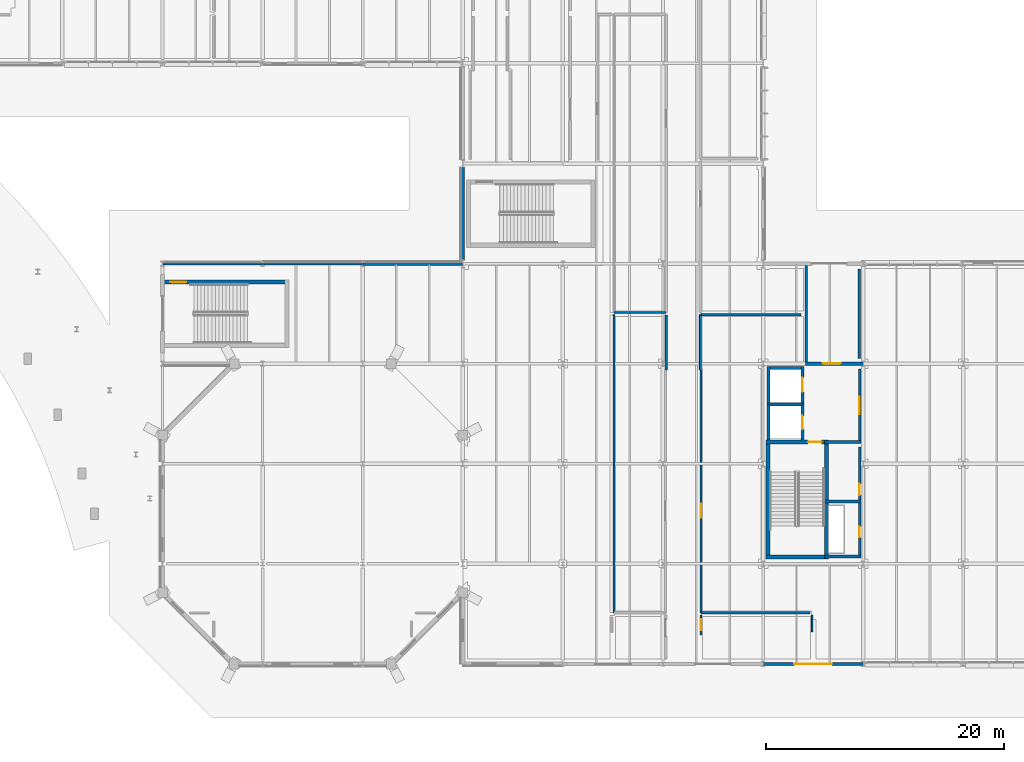
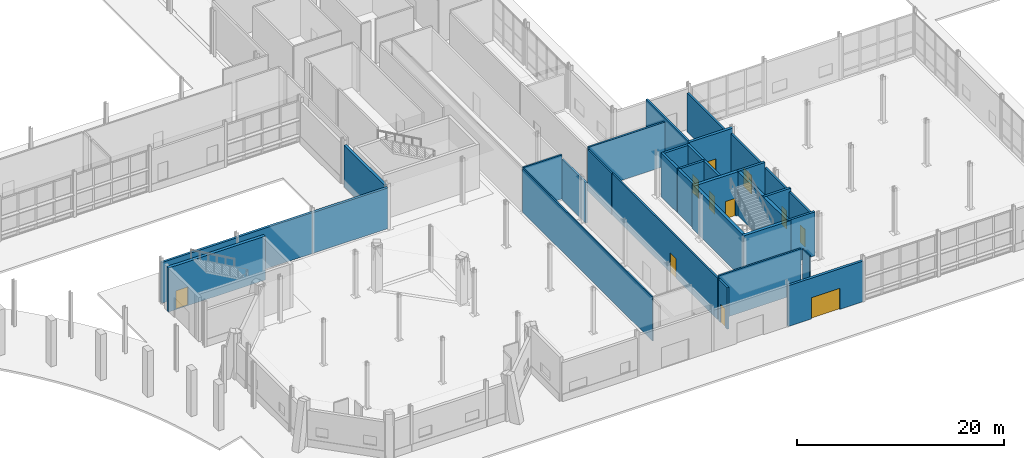
# One storey, part 85 of 124: 34 walls, 11 doors, 11 openings.
"""IFC4 building model written with IfcOpenShell, lengths in metres."""

from ifc_helpers import new_model, si_unit, direction, frame, frame_2d, origin, place, context, subcontext, project, spatial, rectangle, extrude, material, layer, layer_set, type_object, element, fill, save


model = new_model("IFC4")

# Units and contexts
model_context = context("Model", 3, precision=1e-05, world=origin(), true_north=direction((0.0, 1.0)))
body_context = subcontext(model_context, "Body", "Model", "MODEL_VIEW")
ifc_project = project(units=[si_unit("LENGTHUNIT", "METRE"), si_unit("AREAUNIT", "SQUARE_METRE"), si_unit("VOLUMEUNIT", "CUBIC_METRE"), si_unit("PLANEANGLEUNIT", "RADIAN"), si_unit("MASSUNIT", "GRAM", prefix="KILO")], contexts=[model_context])

# Site, building, storey
site_placement = place(None, origin())
site = spatial("IfcSite", under=ifc_project, at=site_placement, CompositionType="ELEMENT")
building_placement = place(site_placement, origin())
building = spatial("IfcBuilding", under=site, at=building_placement, Name="Mersafa Astral City Hall", CompositionType="ELEMENT")
storey_placement = place(building_placement, origin())
storey = spatial("IfcBuildingStorey", under=building, at=storey_placement, Name="L00", CompositionType="ELEMENT", Elevation=0.0)

# Walls
ifc_material_1 = material(Name="Precast concrete C40/50 insulated terracotta spandrel", Category="masonry")
ifc_layer_1 = layer(ifc_material_1, 0.25, Name="Precast concrete C40/50 insulated terracotta spandrel")
ifc_layer_set_1 = layer_set([ifc_layer_1], Name="Precast concrete C40/50 insulated terracotta spandrel — ENV-WAL-EXT-250")
wall_type_1 = type_object("IfcWallType", Name="ENV-WAL-EXT-250", PredefinedType="STANDARD", material=ifc_layer_set_1)
wall_1_placement = place(storey_placement, frame((75.592041015625, 33.60009765625, 0.0), z_axis=(0.0, 0.0, 1.0), x_axis=(-1.0, 0.0, 0.0)))
element("IfcWall", 1, at=wall_1_placement, inside=storey, type_object=wall_type_1, Name="L00 Limestone-clad exterior wall 70", PredefinedType="STANDARD", context=body_context, shape_type="SweptSolid", body=[
    extrude(rectangle(XDim=8.384033203125, YDim=0.25, at=frame_2d((4.19189453125, 0.0))), origin(), (0.0, 0.0, 1.0), 4.797119140625),
])
ifc_material_2 = material(Name="Precast concrete C40/50 insulated limestone wall", Category="masonry")
ifc_layer_2 = layer(ifc_material_2, 0.264892578125, Name="Precast concrete C40/50 insulated limestone wall")
ifc_layer_set_2 = layer_set([ifc_layer_2], Name="Precast concrete C40/50 insulated limestone wall — ENV-WAL-EXT-265")
wall_type_2 = type_object("IfcWallType", Name="ENV-WAL-EXT-265", PredefinedType="STANDARD", material=ifc_layer_set_2)
wall_2_placement = place(storey_placement, frame((83.991943359375, 33.60009765625, 0.0), z_axis=(0.0, 0.0, 1.0), x_axis=(-1.0, 0.0, 0.0)))
element("IfcWall", 2, at=wall_2_placement, inside=storey, type_object=wall_type_2, Name="L00 Limestone-clad exterior wall 69", PredefinedType="STANDARD", context=body_context, shape_type="SweptSolid", body=[
    extrude(rectangle(XDim=8.384033203125, YDim=0.264892578125, at=frame_2d((4.19189453125, 0.0))), origin(), (0.0, 0.0, 1.0), 4.826904296875),
])

# Wall, opening, door
ifc_layer_3 = layer(ifc_material_2, 0.280029296875, Name="Precast concrete C40/50 insulated limestone wall")
ifc_layer_set_3 = layer_set([ifc_layer_3], Name="Precast concrete C40/50 insulated limestone wall — ENV-WAL-EXT-280")
wall_type_3 = type_object("IfcWallType", Name="ENV-WAL-EXT-280", PredefinedType="STANDARD", material=ifc_layer_set_3)
wall_3_placement = place(storey_placement, frame((125.991943359375, 0.0, 0.0), z_axis=(0.0, 0.0, 1.0), x_axis=(-1.0, 0.0, 0.0)))
wall_3 = element("IfcWall", 3, at=wall_3_placement, inside=storey, type_object=wall_type_3, Name="L00 Civic Entrance & Exit Portal Wall E9", PredefinedType="STANDARD", context=body_context, shape_type="SweptSolid", body=[
    extrude(rectangle(XDim=8.384033203125, YDim=0.280029296875, at=frame_2d((4.19189453125, 0.0))), origin(), (0.0, 0.0, 1.0), 4.797119140625),
])
opening_1_placement = place(wall_3_placement, frame((2.616943359375, 0.0, 0.0)))
opening_1 = element("IfcOpeningElement", 4, at=opening_1_placement, cuts=wall_3, Name="Opening ED-1", PredefinedType="OPENING", context=body_context, shape_type="SweptSolid", body=[
    extrude(rectangle(XDim=3.14990234375, YDim=2.5, at=frame_2d((1.574951171875, 1.25))), frame((0.0, 0.14990234375, 0.0), z_axis=(0.0, -1.0, 0.0), x_axis=(1.0, 0.0, 0.0)), (0.0, 0.0, 1.0), 0.300048828125),
])
ifc_material_3 = material(Name="Anodised bronze glazed exit door pair", Category="metal")
door_type_1 = type_object("IfcDoorType", Name="ENV-DR-EXIT-2850", OperationType="NOTDEFINED", PredefinedType="DOOR", material=ifc_material_3)
door_1_placement = place(opening_1_placement, origin())
door_1 = element("IfcDoor", 5, at=door_1_placement, inside=storey, type_object=door_type_1, Name="Ground Final Exit Door E9", OperationType="DOUBLE_DOOR_SINGLE_SWING", OverallHeight=2.5, OverallWidth=3.14990234375, PredefinedType="DOOR", context=body_context, shape_type="SweptSolid", body=[
    extrude(rectangle(XDim=3.14990234375, YDim=2.5, at=frame_2d((1.574951171875, 1.25))), frame((0.0, 0.02490234375, 0.0), z_axis=(0.0, -1.0, 0.0), x_axis=(1.0, 0.0, 0.0)), (0.0, 0.0, 1.0), 0.050048828125),
])
fill(opening_1, door_1)

# Walls
wall_4_placement = place(storey_placement, frame((92.39208984375, 33.60009765625, 0.0), z_axis=(0.0, 0.0, 1.0), x_axis=(-1.0, 0.0, 0.0)))
element("IfcWall", 6, at=wall_4_placement, inside=storey, type_object=wall_type_3, Name="L00 Limestone-clad exterior wall 68", PredefinedType="STANDARD", context=body_context, shape_type="SweptSolid", body=[
    extrude(rectangle(XDim=8.384033203125, YDim=0.280029296875, at=frame_2d((4.19189453125, 0.0))), origin(), (0.0, 0.0, 1.0), 4.797119140625),
])
ifc_layer_4 = layer(ifc_material_2, 0.294921875, Name="Precast concrete C40/50 insulated limestone wall")
ifc_layer_set_4 = layer_set([ifc_layer_4], Name="Precast concrete C40/50 insulated limestone wall — ENV-WAL-EXT-295")
wall_type_4 = type_object("IfcWallType", Name="ENV-WAL-EXT-295", PredefinedType="STANDARD", material=ifc_layer_set_4)
wall_5_placement = place(storey_placement, frame((92.39990234375, 41.678955078125, 0.0), z_axis=(0.0, 0.0, 1.0), x_axis=(0.0, -1.0, 0.0)))
element("IfcWall", 7, at=wall_5_placement, inside=storey, type_object=wall_type_4, Name="L00 Limestone-clad exterior wall 67", PredefinedType="STANDARD", context=body_context, shape_type="SweptSolid", body=[
    extrude(rectangle(XDim=7.758056640625, YDim=0.294921875, at=frame_2d((3.87890625, 0.0))), origin(), (0.0, 0.0, 1.0), 4.886962890625),
])
ifc_material_4 = material(Name="Concrete C40/50", Category="concrete")
ifc_layer_5 = layer(ifc_material_4, 0.260009765625, Name="Concrete C40/50")
ifc_layer_set_5 = layer_set([ifc_layer_5], Name="Concrete C40/50 — INT-WAL-CORE-260")
wall_type_5 = type_object("IfcWallType", Name="INT-WAL-CORE-260", PredefinedType="SHEAR", material=ifc_layer_set_5)
wall_6_placement = place(storey_placement, frame((117.9150390625, 21.784912109375, 0.0), z_axis=(0.0, 0.0, 1.0), x_axis=(1.0, 0.0, 0.0)))
element("IfcWall", 8, at=wall_6_placement, inside=storey, type_object=wall_type_5, Name="L00 Lift LF7 north shaft wall", PredefinedType="SHEAR", context=body_context, shape_type="SweptSolid", body=[
    extrude(rectangle(XDim=3.1298828125, YDim=0.260009765625, at=frame_2d((1.56494140625, 0.0))), origin(), (0.0, 0.0, 1.0), 5.175048828125),
])
wall_7_placement = place(storey_placement, frame((118.044921875, 18.797119140625, 0.0), z_axis=(0.0, 0.0, 1.0), x_axis=(0.0, 1.0, 0.0)))
element("IfcWall", 9, at=wall_7_placement, inside=storey, type_object=wall_type_5, Name="L00 Lift LF7 back shaft wall", PredefinedType="SHEAR", context=body_context, shape_type="SweptSolid", body=[
    extrude(rectangle(XDim=2.947998046875, YDim=0.260009765625, at=frame_2d((1.47412109375, 0.0))), origin(), (0.0, 0.0, 1.0), 5.175048828125),
])

# Wall, opening, door
wall_8_placement = place(storey_placement, frame((120.9150390625, 18.797119140625, 0.0), z_axis=(0.0, 0.0, 1.0), x_axis=(0.0, 1.0, 0.0)))
wall_8 = element("IfcWall", 10, at=wall_8_placement, inside=storey, type_object=wall_type_5, Name="L00 Lift LF7 front shaft wall", PredefinedType="SHEAR", context=body_context, shape_type="SweptSolid", body=[
    extrude(rectangle(XDim=2.947998046875, YDim=0.260009765625, at=frame_2d((1.47412109375, 0.0))), origin(), (0.0, 0.0, 1.0), 5.175048828125),
])
opening_2_placement = place(wall_8_placement, frame((0.924072265625, 0.0, 0.0)))
opening_2 = element("IfcOpeningElement", 11, at=opening_2_placement, cuts=wall_8, Name="Opening LD-1", PredefinedType="OPENING", context=body_context, shape_type="SweptSolid", body=[
    extrude(rectangle(XDim=1.10009765625, YDim=2.14990234375, at=frame_2d((0.550048828125, 1.074951171875))), frame((0.0, 0.139892578125, 0.0), z_axis=(0.0, -1.0, 0.0), x_axis=(1.0, 0.0, 0.0)), (0.0, 0.0, 1.0), 0.280029296875),
])
ifc_material_5 = material(Name="Stainless steel sliding lift landing door", Category="steel")
door_type_2 = type_object("IfcDoorType", Name="INT-DR-LIFT-LD1", OperationType="NOTDEFINED", PredefinedType="DOOR", material=ifc_material_5)
door_2_placement = place(opening_2_placement, origin())
door_2 = element("IfcDoor", 12, at=door_2_placement, inside=storey, type_object=door_type_2, Name="Elevator LF7 Sliding Landing Door L00", OperationType="DOUBLE_DOOR_SLIDING", OverallHeight=2.14990234375, OverallWidth=1.10009765625, PredefinedType="DOOR", context=body_context, shape_type="SweptSolid", body=[
    extrude(rectangle(XDim=1.10009765625, YDim=2.14990234375, at=frame_2d((0.550048828125, 1.074951171875))), frame((0.0, 0.02490234375, 0.0), z_axis=(0.0, -1.0, 0.0), x_axis=(1.0, 0.0, 0.0)), (0.0, 0.0, 1.0), 0.050048828125),
])
fill(opening_2, door_2)

# Walls
wall_9_placement = place(storey_placement, frame((117.9150390625, 24.8349609375, 0.0), z_axis=(0.0, 0.0, 1.0), x_axis=(1.0, 0.0, 0.0)))
element("IfcWall", 13, at=wall_9_placement, inside=storey, type_object=wall_type_5, Name="L00 Lift LF10 north shaft wall", PredefinedType="SHEAR", context=body_context, shape_type="SweptSolid", body=[
    extrude(rectangle(XDim=3.1298828125, YDim=0.260009765625, at=frame_2d((1.56494140625, 0.0))), origin(), (0.0, 0.0, 1.0), 5.175048828125),
])
wall_10_placement = place(storey_placement, frame((118.044921875, 21.905029296875, 0.0), z_axis=(0.0, 0.0, 1.0), x_axis=(0.0, 1.0, 0.0)))
element("IfcWall", 14, at=wall_10_placement, inside=storey, type_object=wall_type_5, Name="L00 Lift LF10 back shaft wall", PredefinedType="SHEAR", context=body_context, shape_type="SweptSolid", body=[
    extrude(rectangle(XDim=3.06005859375, YDim=0.260009765625, at=frame_2d((1.530029296875, 0.0))), origin(), (0.0, 0.0, 1.0), 5.175048828125),
])

# Wall, opening, door
wall_11_placement = place(storey_placement, frame((120.9150390625, 21.905029296875, 0.0), z_axis=(0.0, 0.0, 1.0), x_axis=(0.0, 1.0, 0.0)))
wall_11 = element("IfcWall", 15, at=wall_11_placement, inside=storey, type_object=wall_type_5, Name="L00 Lift LF10 front shaft wall", PredefinedType="SHEAR", context=body_context, shape_type="SweptSolid", body=[
    extrude(rectangle(XDim=3.06005859375, YDim=0.260009765625, at=frame_2d((1.530029296875, 0.0))), origin(), (0.0, 0.0, 1.0), 5.175048828125),
])
opening_3_placement = place(wall_11_placement, frame((0.929931640625, 0.0, 0.0)))
opening_3 = element("IfcOpeningElement", 16, at=opening_3_placement, cuts=wall_11, Name="Opening LD-2", PredefinedType="OPENING", context=body_context, shape_type="SweptSolid", body=[
    extrude(rectangle(XDim=1.199951171875, YDim=2.14990234375, at=frame_2d((0.60009765625, 1.074951171875))), frame((0.0, 0.139892578125, 0.0), z_axis=(0.0, -1.0, 0.0), x_axis=(1.0, 0.0, 0.0)), (0.0, 0.0, 1.0), 0.280029296875),
])
ifc_material_6 = material(Name="Heavy-duty sliding goods lift landing door", Category="metal")
door_type_3 = type_object("IfcDoorType", Name="INT-DR-LIFT-LD2", OperationType="NOTDEFINED", PredefinedType="DOOR", material=ifc_material_6)
door_3_placement = place(opening_3_placement, origin())
door_3 = element("IfcDoor", 17, at=door_3_placement, inside=storey, type_object=door_type_3, Name="Elevator LF10 Sliding Landing Door L00", OperationType="DOUBLE_DOOR_SLIDING", OverallHeight=2.14990234375, OverallWidth=1.199951171875, PredefinedType="DOOR", context=body_context, shape_type="SweptSolid", body=[
    extrude(rectangle(XDim=1.199951171875, YDim=2.14990234375, at=frame_2d((0.60009765625, 1.074951171875))), frame((0.0, 0.02490234375, 0.0), z_axis=(0.0, -1.0, 0.0), x_axis=(1.0, 0.0, 0.0)), (0.0, 0.0, 1.0), 0.050048828125),
])
fill(opening_3, door_3)

# Walls
for number, where, z_axis, x_axis, name in (
    (18, (122.764892578125, 9.02001953125, 0.0), (0.0, 0.0, 1.0), (1.0, 0.0, 0.0), "L00 Core K5 riser south wall"),
    (19, (122.764892578125, 13.635009765625, 0.0), (0.0, 0.0, 1.0), (1.0, 0.0, 0.0), "L00 Core K5 riser-restroom divider wall"),
    (20, (122.764892578125, 18.635009765625, 0.0), (0.0, 0.0, 1.0), (1.0, 0.0, 0.0), "L00 Core K5 restroom-lobby divider wall"),
):
    element("IfcWall", number, at=place(storey_placement, frame(where, z_axis=z_axis, x_axis=x_axis)), inside=storey, type_object=wall_type_5, Name=name, PredefinedType="SHEAR", context=body_context, shape_type="SweptSolid", body=[
        extrude(rectangle(XDim=3.03515625, YDim=0.260009765625, at=frame_2d((1.517578125, 0.0))), origin(), (0.0, 0.0, 1.0), 5.175048828125),
    ])

# Wall, opening, door
ifc_layer_6 = layer(ifc_material_4, 0.300048828125, Name="Concrete C40/50")
ifc_layer_set_6 = layer_set([ifc_layer_6], Name="Concrete C40/50 — INT-WAL-CORE-300")
wall_type_6 = type_object("IfcWallType", Name="INT-WAL-CORE-300", PredefinedType="SHEAR", material=ifc_layer_set_6)
wall_12_placement = place(storey_placement, frame((121.14990234375, 25.2099609375, 0.0), z_axis=(0.0, 0.0, 1.0), x_axis=(1.0, 0.0, 0.0)))
wall_12 = element("IfcWall", 21, at=wall_12_placement, inside=storey, type_object=wall_type_6, Name="L00 Core K5 lobby north shear wall", PredefinedType="SHEAR", context=body_context, shape_type="SweptSolid", body=[
    extrude(rectangle(XDim=4.8701171875, YDim=0.300048828125, at=frame_2d((2.43505859375, 0.0))), origin(), (0.0, 0.0, 1.0), 5.175048828125),
])
opening_4_placement = place(wall_12_placement, frame((1.449951171875, 0.0, 0.0)))
opening_4 = element("IfcOpeningElement", 22, at=opening_4_placement, cuts=wall_12, Name="Opening CD-3", PredefinedType="OPENING", context=body_context, shape_type="SweptSolid", body=[
    extrude(rectangle(XDim=1.5, YDim=2.199951171875, at=frame_2d((0.75, 1.10009765625))), frame((0.0, 0.159912109375, 0.0), z_axis=(0.0, -1.0, 0.0), x_axis=(1.0, 0.0, 0.0)), (0.0, 0.0, 1.0), 0.320068359375),
])
ifc_material_7 = material(Name="Fire-rated glazed lobby door pair", Category="metal")
door_type_4 = type_object("IfcDoorType", Name="INT-DR-LOBBY-FD90-1500", OperationType="NOTDEFINED", PredefinedType="DOOR", material=ifc_material_7)
door_4_placement = place(opening_4_placement, origin())
door_4 = element("IfcDoor", 23, at=door_4_placement, inside=storey, type_object=door_type_4, Name="L00 K5 Protected Exit Passageway Fire Door", OperationType="DOUBLE_DOOR_SINGLE_SWING", OverallHeight=2.199951171875, OverallWidth=1.5, PredefinedType="DOOR", context=body_context, shape_type="SweptSolid", body=[
    extrude(rectangle(XDim=1.5, YDim=2.199951171875, at=frame_2d((0.75, 1.10009765625))), frame((0.0, 0.02490234375, 0.0), z_axis=(0.0, -1.0, 0.0), x_axis=(1.0, 0.0, 0.0)), (0.0, 0.0, 1.0), 0.050048828125),
])
fill(opening_4, door_4)

# Walls
ifc_layer_7 = layer(ifc_material_4, 0.340087890625, Name="Concrete C40/50")
ifc_layer_set_7 = layer_set([ifc_layer_7], Name="Concrete C40/50 — INT-WAL-CORE-340")
wall_type_7 = type_object("IfcWallType", Name="INT-WAL-CORE-340", PredefinedType="SHEAR", material=ifc_layer_set_7)
for number, where, z_axis, x_axis, name in (
    (24, (118.0048828125, 8.804931640625, 0.0), (0.0, 0.0, 1.0), (0.0, 1.0, 0.0), "L00 Core K5 stair west shear wall"),
    (25, (122.9150390625, 8.804931640625, 0.0), (0.0, 0.0, 1.0), (0.0, 1.0, 0.0), "L00 Core K5 stair east shear wall"),
):
    element("IfcWall", number, at=place(storey_placement, frame(where, z_axis=z_axis, x_axis=x_axis)), inside=storey, type_object=wall_type_7, Name=name, PredefinedType="SHEAR", context=body_context, shape_type="SweptSolid", body=[
        extrude(rectangle(XDim=9.989990234375, YDim=0.340087890625, at=frame_2d((4.9951171875, 0.0))), origin(), (0.0, 0.0, 1.0), 5.175048828125),
    ])
wall_13_placement = place(storey_placement, frame((117.8349609375, 8.97509765625, 0.0), z_axis=(0.0, 0.0, 1.0), x_axis=(1.0, 0.0, 0.0)))
element("IfcWall", 26, at=wall_13_placement, inside=storey, type_object=wall_type_7, Name="L00 Core K5 stair south shear wall", PredefinedType="SHEAR", context=body_context, shape_type="SweptSolid", body=[
    extrude(rectangle(XDim=5.25, YDim=0.340087890625, at=frame_2d((2.625, 0.0))), origin(), (0.0, 0.0, 1.0), 5.175048828125),
])

# Wall, opening, door
wall_14_placement = place(storey_placement, frame((117.8349609375, 18.625, 0.0), z_axis=(0.0, 0.0, 1.0), x_axis=(1.0, 0.0, 0.0)))
wall_14 = element("IfcWall", 27, at=wall_14_placement, inside=storey, type_object=wall_type_7, Name="L00 Core K5 stair-lobby fire wall", PredefinedType="SHEAR", context=body_context, shape_type="SweptSolid", body=[
    extrude(rectangle(XDim=5.25, YDim=0.340087890625, at=frame_2d((2.625, 0.0))), origin(), (0.0, 0.0, 1.0), 5.175048828125),
])
opening_5_placement = place(wall_14_placement, frame((3.534912109375, 0.0, 0.0)))
opening_5 = element("IfcOpeningElement", 28, at=opening_5_placement, cuts=wall_14, Name="Opening CD-1", PredefinedType="OPENING", context=body_context, shape_type="SweptSolid", body=[
    extrude(rectangle(XDim=1.14990234375, YDim=2.14990234375, at=frame_2d((0.574951171875, 1.074951171875))), frame((0.0, 0.179931640625, 0.0), z_axis=(0.0, -1.0, 0.0), x_axis=(1.0, 0.0, 0.0)), (0.0, 0.0, 1.0), 0.360107421875),
])
ifc_material_8 = material(Name="Fire-rated steel stair door", Category="steel")
door_type_5 = type_object("IfcDoorType", Name="INT-DR-STAIR-FD90-1150", OperationType="NOTDEFINED", PredefinedType="DOOR", material=ifc_material_8)
door_5_placement = place(opening_5_placement, origin())
door_5 = element("IfcDoor", 29, at=door_5_placement, inside=storey, type_object=door_type_5, Name="L00 Protected Stair ST5 Door", OperationType="SINGLE_SWING_LEFT", OverallHeight=2.14990234375, OverallWidth=1.14990234375, PredefinedType="DOOR", context=body_context, shape_type="SweptSolid", body=[
    extrude(rectangle(XDim=1.14990234375, YDim=2.14990234375, at=frame_2d((0.574951171875, 1.074951171875))), frame((0.0, 0.02490234375, 0.0), z_axis=(0.0, -1.0, 0.0), x_axis=(1.0, 0.0, 0.0)), (0.0, 0.0, 1.0), 0.050048828125),
])
fill(opening_5, door_5)

wall_15_placement = place(storey_placement, frame((67.034912109375, 32.054931640625, 0.0), z_axis=(0.0, 0.0, 1.0), x_axis=(1.0, 0.0, 0.0)))
wall_15 = element("IfcWall", 30, at=wall_15_placement, inside=storey, type_object=wall_type_7, Name="L00 Assembly stair K7 north wall", PredefinedType="SHEAR", context=body_context, shape_type="SweptSolid", body=[
    extrude(rectangle(XDim=10.7900390625, YDim=0.340087890625, at=frame_2d((5.39501953125, 0.0))), origin(), (0.0, 0.0, 1.0), 5.175048828125),
])
opening_6_placement = place(wall_15_placement, frame((0.820068359375, 0.0, 0.0)))
opening_6 = element("IfcOpeningElement", 31, at=opening_6_placement, cuts=wall_15, Name="Opening CD-2", PredefinedType="OPENING", context=body_context, shape_type="SweptSolid", body=[
    extrude(rectangle(XDim=1.35009765625, YDim=2.199951171875, at=frame_2d((0.675048828125, 1.10009765625))), frame((0.0, 0.179931640625, 0.0), z_axis=(0.0, -1.0, 0.0), x_axis=(1.0, 0.0, 0.0)), (0.0, 0.0, 1.0), 0.360107421875),
])
ifc_material_9 = material(Name="Fire-rated steel assembly stair door", Category="steel")
door_type_6 = type_object("IfcDoorType", Name="INT-DR-STAIR-FD90-1350", OperationType="NOTDEFINED", PredefinedType="DOOR", material=ifc_material_9)
door_6_placement = place(opening_6_placement, origin())
door_6 = element("IfcDoor", 32, at=door_6_placement, inside=storey, type_object=door_type_6, Name="L00 Assembly Stair ST7 Fire Door", OperationType="SINGLE_SWING_LEFT", OverallHeight=2.199951171875, OverallWidth=1.35009765625, PredefinedType="DOOR", context=body_context, shape_type="SweptSolid", body=[
    extrude(rectangle(XDim=1.35009765625, YDim=2.199951171875, at=frame_2d((0.675048828125, 1.10009765625))), frame((0.0, 0.02490234375, 0.0), z_axis=(0.0, -1.0, 0.0), x_axis=(1.0, 0.0, 0.0)), (0.0, 0.0, 1.0), 0.050048828125),
])
fill(opening_6, door_6)

# Walls
ifc_material_10 = material(Name="Acoustic steel-stud gypsum partition", Category="steel")
ifc_layer_8 = layer(ifc_material_10, 0.1201171875, Name="Acoustic steel-stud gypsum partition")
ifc_layer_set_8 = layer_set([ifc_layer_8], Name="Acoustic steel-stud gypsum partition — INT-WAL-PART-EI30-120")
wall_type_8 = type_object("IfcWallType", Name="INT-WAL-PART-EI30-120", PredefinedType="STANDARD", material=ifc_layer_set_8)
wall_16_placement = place(storey_placement, frame((121.7099609375, 4.110107421875, -0.00390625), z_axis=(0.0, 0.0, 1.0), x_axis=(0.0, -1.0, 0.0)))
element("IfcWall", 33, at=wall_16_placement, inside=storey, type_object=wall_type_8, Name="L00 Interior partition wall 239", PredefinedType="STANDARD", context=body_context, shape_type="SweptSolid", body=[
    extrude(rectangle(XDim=1.389404296875, YDim=0.1201171875, at=frame_2d((0.69482421875, 0.0))), origin(), (0.0, 0.0, 1.0), 5.178955078125),
])
ifc_layer_9 = layer(ifc_material_10, 0.135009765625, Name="Acoustic steel-stud gypsum partition")
ifc_layer_set_9 = layer_set([ifc_layer_9], Name="Acoustic steel-stud gypsum partition — INT-WAL-PART-EI30-135")
wall_type_9 = type_object("IfcWallType", Name="INT-WAL-PART-EI30-135", PredefinedType="STANDARD", material=ifc_layer_set_9)
wall_17_placement = place(storey_placement, frame((105.090087890625, 4.2900390625, -0.00390625), z_axis=(0.0, 0.0, 1.0), x_axis=(0.0, 1.0, 0.0)))
element("IfcWall", 34, at=wall_17_placement, inside=storey, type_object=wall_type_9, Name="L00 Interior partition wall 160", PredefinedType="STANDARD", context=body_context, shape_type="SweptSolid", body=[
    extrude(rectangle(XDim=25.02001953125, YDim=0.135009765625, at=frame_2d((12.510009765625, 0.0))), origin(), (0.0, 0.0, 1.0), 5.178955078125),
])
ifc_material_11 = material(Name="Fire-rated gypsum stud partition", Category="gypsum")
ifc_layer_10 = layer(ifc_material_11, 0.1650390625, Name="Fire-rated gypsum stud partition")
ifc_layer_set_10 = layer_set([ifc_layer_10], Name="Fire-rated gypsum stud partition — INT-WAL-PART-EI60-165")
wall_type_10 = type_object("IfcWallType", Name="INT-WAL-PART-EI60-165", PredefinedType="STANDARD", material=ifc_layer_set_10)
wall_18_placement = place(storey_placement, frame((112.330078125, 24.679931640625, -0.00390625), z_axis=(0.0, 0.0, 1.0), x_axis=(0.0, 1.0, 0.0)))
element("IfcWall", 35, at=wall_18_placement, inside=storey, type_object=wall_type_10, Name="L00 Interior partition wall 147", PredefinedType="STANDARD", context=body_context, shape_type="SweptSolid", body=[
    extrude(rectangle(XDim=4.630126953125, YDim=0.1650390625, at=frame_2d((2.31494140625, 0.0))), origin(), (0.0, 0.0, 1.0), 4.890869140625),
])

# Wall, opening, door
ifc_material_12 = material(Name="Acoustic twin-stud gypsum partition", Category="gypsum")
ifc_layer_11 = layer(ifc_material_12, 0.179931640625, Name="Acoustic twin-stud gypsum partition")
ifc_layer_set_11 = layer_set([ifc_layer_11], Name="Acoustic twin-stud gypsum partition — INT-WAL-PART-EI60-180")
wall_type_11 = type_object("IfcWallType", Name="INT-WAL-PART-EI60-180", PredefinedType="STANDARD", material=ifc_layer_set_11)
wall_19_placement = place(storey_placement, frame((112.3798828125, 4.2900390625, -0.00390625), z_axis=(0.0, 0.0, 1.0), x_axis=(0.0, 1.0, 0.0)))
wall_19 = element("IfcWall", 36, at=wall_19_placement, inside=storey, type_object=wall_type_11, Name="L00 Interior partition wall 146", PredefinedType="STANDARD", context=body_context, shape_type="SweptSolid", body=[
    extrude(rectangle(XDim=20.389892578125, YDim=0.179931640625, at=frame_2d((10.19482421875, 0.0))), origin(), (0.0, 0.0, 1.0), 4.890869140625),
])
opening_7_placement = place(wall_19_placement, frame((7.973876953125, 0.0, 0.0)))
opening_7 = element("IfcOpeningElement", 37, at=opening_7_placement, cuts=wall_19, Name="Opening D-32", PredefinedType="OPENING", context=body_context, shape_type="SweptSolid", body=[
    extrude(rectangle(XDim=1.179931640625, YDim=2.300048828125, at=frame_2d((0.58984375, 1.14990234375))), frame((0.0, 0.099853515625, 0.0), z_axis=(0.0, -1.0, 0.0), x_axis=(1.0, 0.0, 0.0)), (0.0, 0.0, 1.0), 0.199951171875),
])
ifc_material_13 = material(Name="Cedar veneered acoustic fire-rated timber door", Category="wood")
door_type_7 = type_object("IfcDoorType", Name="INT-DR-RM-D-32", OperationType="NOTDEFINED", PredefinedType="DOOR", material=ifc_material_13)
door_7_placement = place(opening_7_placement, origin())
door_7 = element("IfcDoor", 38, at=door_7_placement, inside=storey, type_object=door_type_7, Name="L00 Public Cafe L00-06 Entrance Door", OperationType="SINGLE_SWING_RIGHT", OverallHeight=2.300048828125, OverallWidth=1.179931640625, PredefinedType="DOOR", context=body_context, shape_type="SweptSolid", body=[
    extrude(rectangle(XDim=1.179931640625, YDim=2.300048828125, at=frame_2d((0.58984375, 1.14990234375))), frame((0.0, 0.02490234375, 0.0), z_axis=(0.0, -1.0, 0.0), x_axis=(1.0, 0.0, 0.0)), (0.0, 0.0, 1.0), 0.050048828125),
])
fill(opening_7, door_7)

# Wall
wall_20_placement = place(storey_placement, frame((109.469970703125, 29.489990234375, -0.00390625), z_axis=(0.0, 0.0, 1.0), x_axis=(-1.0, 0.0, 0.0)))
element("IfcWall", 39, at=wall_20_placement, inside=storey, type_object=wall_type_11, Name="L00 Interior partition wall 154", PredefinedType="STANDARD", context=body_context, shape_type="SweptSolid", body=[
    extrude(rectangle(XDim=4.3798828125, YDim=0.179931640625, at=frame_2d((2.18994140625, 0.0))), origin(), (0.0, 0.0, 1.0), 5.178955078125),
])

# Wall, opening, door
wall_21_placement = place(storey_placement, frame((112.3798828125, 2.41796875, -0.00390625), z_axis=(0.0, 0.0, 1.0), x_axis=(0.0, 1.0, 0.0)))
wall_21 = element("IfcWall", 40, at=wall_21_placement, inside=storey, type_object=wall_type_11, Name="L00 Interior partition wall 238", PredefinedType="STANDARD", context=body_context, shape_type="SweptSolid", body=[
    extrude(rectangle(XDim=1.692138671875, YDim=0.179931640625, at=frame_2d((0.84619140625, 0.0))), origin(), (0.0, 0.0, 1.0), 4.890869140625),
])
opening_8_placement = place(wall_21_placement, frame((0.412109375, 0.0, 0.0)))
opening_8 = element("IfcOpeningElement", 41, at=opening_8_placement, cuts=wall_21, Name="Opening D-10", PredefinedType="OPENING", context=body_context, shape_type="SweptSolid", body=[
    extrude(rectangle(XDim=0.919921875, YDim=2.139892578125, at=frame_2d((0.4599609375, 1.06982421875))), frame((0.0, 0.099853515625, 0.0), z_axis=(0.0, -1.0, 0.0), x_axis=(1.0, 0.0, 0.0)), (0.0, 0.0, 1.0), 0.199951171875),
])
door_type_8 = type_object("IfcDoorType", Name="INT-DR-RM-D-10", OperationType="NOTDEFINED", PredefinedType="DOOR", material=ifc_material_13)
door_8_placement = place(opening_8_placement, origin())
door_8 = element("IfcDoor", 42, at=door_8_placement, inside=storey, type_object=door_type_8, Name="L00 Public Information & Wayfinding Salon L00-27 Entrance Door", OperationType="SINGLE_SWING_LEFT", OverallHeight=2.139892578125, OverallWidth=0.919921875, PredefinedType="DOOR", context=body_context, shape_type="SweptSolid", body=[
    extrude(rectangle(XDim=0.919921875, YDim=2.139892578125, at=frame_2d((0.4599609375, 1.06982421875))), frame((0.0, 0.02490234375, 0.0), z_axis=(0.0, -1.0, 0.0), x_axis=(1.0, 0.0, 0.0)), (0.0, 0.0, 1.0), 0.050048828125),
])
fill(opening_8, door_8)

# Walls
ifc_layer_12 = layer(ifc_material_12, 0.195068359375, Name="Acoustic twin-stud gypsum partition")
ifc_layer_set_12 = layer_set([ifc_layer_12], Name="Acoustic twin-stud gypsum partition — INT-WAL-PART-EI60-195")
wall_type_12 = type_object("IfcWallType", Name="INT-WAL-PART-EI60-195", PredefinedType="STANDARD", material=ifc_layer_set_12)
wall_22_placement = place(storey_placement, frame((121.5400390625, 4.2900390625, -0.00390625), z_axis=(0.0, 0.0, 1.0), x_axis=(-1.0, 0.0, 0.0)))
element("IfcWall", 43, at=wall_22_placement, inside=storey, type_object=wall_type_12, Name="L00 Interior partition wall 145", PredefinedType="STANDARD", context=body_context, shape_type="SweptSolid", body=[
    extrude(rectangle(XDim=9.16015625, YDim=0.195068359375, at=frame_2d((4.580078125, 0.0))), origin(), (0.0, 0.0, 1.0), 5.178955078125),
])
wall_23_placement = place(storey_placement, frame((109.469970703125, 29.31005859375, -0.00390625), z_axis=(0.0, 0.0, 1.0), x_axis=(0.0, -1.0, 0.0)))
element("IfcWall", 44, at=wall_23_placement, inside=storey, type_object=wall_type_12, Name="L00 Interior partition wall 161", PredefinedType="STANDARD", context=body_context, shape_type="SweptSolid", body=[
    extrude(rectangle(XDim=4.630126953125, YDim=0.195068359375, at=frame_2d((2.31494140625, 0.0))), origin(), (0.0, 0.0, 1.0), 4.760986328125),
])

# Wall, opening, door
ifc_material_14 = material(Name="Autoclaved aerated concrete blockwork plastered", Category="masonry")
ifc_layer_13 = layer(ifc_material_14, 0.2099609375, Name="Autoclaved aerated concrete blockwork plastered")
ifc_layer_set_13 = layer_set([ifc_layer_13], Name="Autoclaved aerated concrete blockwork plastered — INT-WAL-PART-EI60-210")
wall_type_13 = type_object("IfcWallType", Name="INT-WAL-PART-EI60-210", PredefinedType="STANDARD", material=ifc_layer_set_13)
wall_24_placement = place(storey_placement, frame((125.699951171875, 9.02001953125, 0.0), z_axis=(0.0, 0.0, 1.0), x_axis=(0.0, 1.0, 0.0)))
wall_24 = element("IfcWall", 45, at=wall_24_placement, inside=storey, type_object=wall_type_13, Name="L00 Core K5 riser corridor partition", PredefinedType="STANDARD", context=body_context, shape_type="SweptSolid", body=[
    extrude(rectangle(XDim=4.590087890625, YDim=0.2099609375, at=frame_2d((2.294921875, 0.0))), origin(), (0.0, 0.0, 1.0), 4.806884765625),
])
opening_9_placement = place(wall_24_placement, frame((1.60009765625, 0.0, 0.0)))
opening_9 = element("IfcOpeningElement", 46, at=opening_9_placement, cuts=wall_24, Name="Opening CD-5", PredefinedType="OPENING", context=body_context, shape_type="SweptSolid", body=[
    extrude(rectangle(XDim=0.89990234375, YDim=2.10009765625, at=frame_2d((0.449951171875, 1.050048828125))), frame((0.0, 0.114990234375, 0.0), z_axis=(0.0, -1.0, 0.0), x_axis=(1.0, 0.0, 0.0)), (0.0, 0.0, 1.0), 0.22998046875),
])
ifc_material_15 = material(Name="Fire-rated steel riser access door", Category="steel")
door_type_9 = type_object("IfcDoorType", Name="INT-DR-RISER-FD60-900", OperationType="NOTDEFINED", PredefinedType="DOOR", material=ifc_material_15)
door_9_placement = place(opening_9_placement, origin())
door_9 = element("IfcDoor", 47, at=door_9_placement, inside=storey, type_object=door_type_9, Name="L00 K5 MEP Riser Access Door", OperationType="SINGLE_SWING_RIGHT", OverallHeight=2.10009765625, OverallWidth=0.89990234375, PredefinedType="DOOR", context=body_context, shape_type="SweptSolid", body=[
    extrude(rectangle(XDim=0.89990234375, YDim=2.10009765625, at=frame_2d((0.449951171875, 1.050048828125))), frame((0.0, 0.02490234375, 0.0), z_axis=(0.0, -1.0, 0.0), x_axis=(1.0, 0.0, 0.0)), (0.0, 0.0, 1.0), 0.050048828125),
])
fill(opening_9, door_9)

wall_25_placement = place(storey_placement, frame((125.699951171875, 13.719970703125, 0.0), z_axis=(0.0, 0.0, 1.0), x_axis=(0.0, 1.0, 0.0)))
wall_25 = element("IfcWall", 48, at=wall_25_placement, inside=storey, type_object=wall_type_13, Name="L00 Core K5 accessible WC corridor partition", PredefinedType="STANDARD", context=body_context, shape_type="SweptSolid", body=[
    extrude(rectangle(XDim=4.47998046875, YDim=0.2099609375, at=frame_2d((2.239990234375, 0.0))), origin(), (0.0, 0.0, 1.0), 4.806884765625),
])
opening_10_placement = place(wall_25_placement, frame((0.449951171875, 0.0, 0.0)))
opening_10 = element("IfcOpeningElement", 49, at=opening_10_placement, cuts=wall_25, Name="Opening CD-4", PredefinedType="OPENING", context=body_context, shape_type="SweptSolid", body=[
    extrude(rectangle(XDim=0.949951171875, YDim=2.14990234375, at=frame_2d((0.47509765625, 1.074951171875))), frame((0.0, 0.114990234375, 0.0), z_axis=(0.0, -1.0, 0.0), x_axis=(1.0, 0.0, 0.0)), (0.0, 0.0, 1.0), 0.22998046875),
])
ifc_material_16 = material(Name="Accessible timber acoustic WC door", Category="wood")
door_type_10 = type_object("IfcDoorType", Name="INT-DR-WC-FD30-950", OperationType="NOTDEFINED", PredefinedType="DOOR", material=ifc_material_16)
door_10_placement = place(opening_10_placement, origin())
door_10 = element("IfcDoor", 50, at=door_10_placement, inside=storey, type_object=door_type_10, Name="L00 K5 Accessible Restroom Door", OperationType="SINGLE_SWING_LEFT", OverallHeight=2.14990234375, OverallWidth=0.949951171875, PredefinedType="DOOR", context=body_context, shape_type="SweptSolid", body=[
    extrude(rectangle(XDim=0.949951171875, YDim=2.14990234375, at=frame_2d((0.47509765625, 1.074951171875))), frame((0.0, 0.02490234375, 0.0), z_axis=(0.0, -1.0, 0.0), x_axis=(1.0, 0.0, 0.0)), (0.0, 0.0, 1.0), 0.050048828125),
])
fill(opening_10, door_10)

wall_26_placement = place(storey_placement, frame((125.699951171875, 18.639892578125, 0.0), z_axis=(0.0, 0.0, 1.0), x_axis=(0.0, 1.0, 0.0)))
wall_26 = element("IfcWall", 51, at=wall_26_placement, inside=storey, type_object=wall_type_13, Name="L00 Core K5 lobby corridor partition", PredefinedType="STANDARD", context=body_context, shape_type="SweptSolid", body=[
    extrude(rectangle(XDim=6.1201171875, YDim=0.2099609375, at=frame_2d((3.06005859375, 0.0))), origin(), (0.0, 0.0, 1.0), 4.846923828125),
])
opening_11_placement = place(wall_26_placement, frame((2.31005859375, 0.0, 0.0)))
opening_11 = element("IfcOpeningElement", 52, at=opening_11_placement, cuts=wall_26, Name="Opening CD-3", PredefinedType="OPENING", context=body_context, shape_type="SweptSolid", body=[
    extrude(rectangle(XDim=1.5, YDim=2.199951171875, at=frame_2d((0.75, 1.10009765625))), frame((0.0, 0.114990234375, 0.0), z_axis=(0.0, -1.0, 0.0), x_axis=(1.0, 0.0, 0.0)), (0.0, 0.0, 1.0), 0.22998046875),
])
door_11_placement = place(opening_11_placement, origin())
door_11 = element("IfcDoor", 53, at=door_11_placement, inside=storey, type_object=door_type_4, Name="L00 K5 Lift Lobby Fire Door", OperationType="DOUBLE_DOOR_SINGLE_SWING", OverallHeight=2.199951171875, OverallWidth=1.5, PredefinedType="DOOR", context=body_context, shape_type="SweptSolid", body=[
    extrude(rectangle(XDim=1.5, YDim=2.199951171875, at=frame_2d((0.75, 1.10009765625))), frame((0.0, 0.02490234375, 0.0), z_axis=(0.0, -1.0, 0.0), x_axis=(1.0, 0.0, 0.0)), (0.0, 0.0, 1.0), 0.050048828125),
])
fill(opening_11, door_11)

# Walls
wall_27_placement = place(storey_placement, frame((121.239990234375, 25.360107421875, 0.0), z_axis=(0.0, 0.0, 1.0), x_axis=(0.0, 1.0, 0.0)))
element("IfcWall", 54, at=wall_27_placement, inside=storey, type_object=wall_type_13, Name="L00 K5 exit passageway west fire partition", PredefinedType="STANDARD", context=body_context, shape_type="SweptSolid", body=[
    extrude(rectangle(XDim=8.08984375, YDim=0.2099609375, at=frame_2d((4.044921875, 0.0))), origin(), (0.0, 0.0, 1.0), 5.175048828125),
])
wall_28_placement = place(storey_placement, frame((125.659912109375, 25.64990234375, 0.0), z_axis=(0.0, 0.0, 1.0), x_axis=(0.0, 1.0, 0.0)))
element("IfcWall", 55, at=wall_28_placement, inside=storey, type_object=wall_type_13, Name="L00 K5 exit passageway east fire partition", PredefinedType="STANDARD", context=body_context, shape_type="SweptSolid", body=[
    extrude(rectangle(XDim=7.5, YDim=0.2099609375, at=frame_2d((3.75, 0.0))), origin(), (0.0, 0.0, 1.0), 4.556884765625),
])
wall_29_placement = place(storey_placement, frame((112.330078125, 29.31005859375, -0.00390625), z_axis=(0.0, 0.0, 1.0), x_axis=(1.0, 0.0, 0.0)))
element("IfcWall", 56, at=wall_29_placement, inside=storey, type_object=wall_type_13, Name="L00 Interior partition wall 148", PredefinedType="STANDARD", context=body_context, shape_type="SweptSolid", body=[
    extrude(rectangle(XDim=8.469970703125, YDim=0.2099609375, at=frame_2d((4.23486328125, 0.0))), origin(), (0.0, 0.0, 1.0), 5.178955078125),
])

save(model, "model.ifc")
